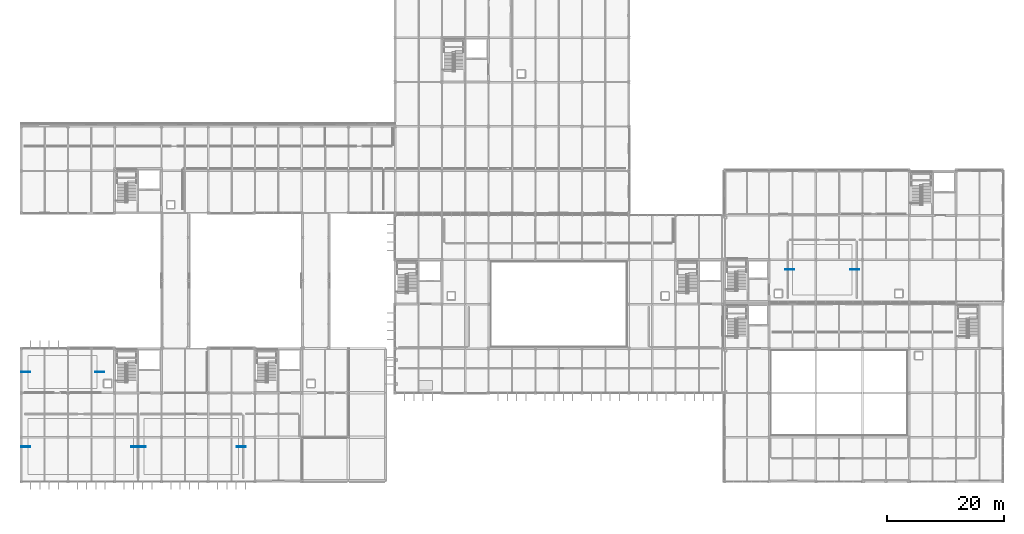
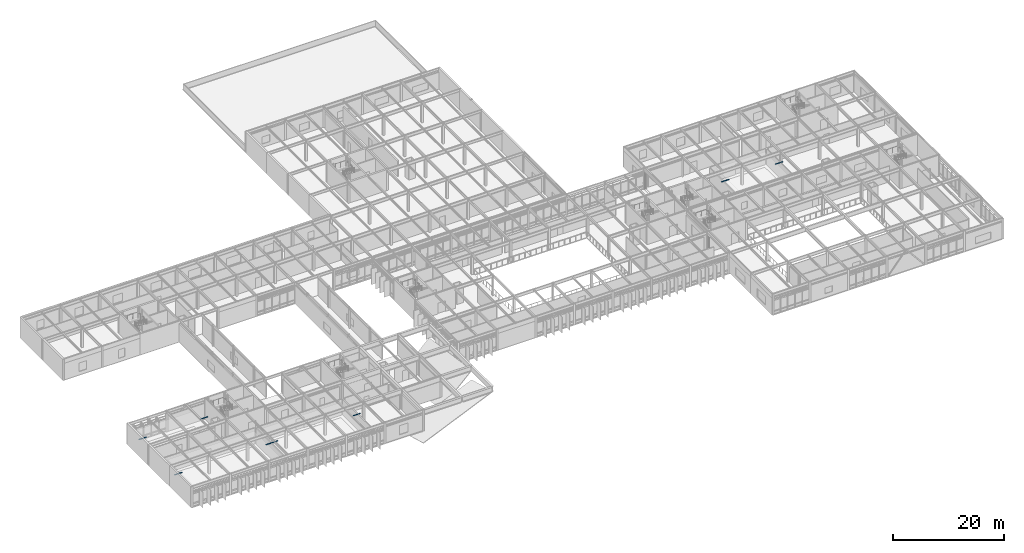
# One storey, part 91 of 104: 8 discrete accessories.
"""IFC4 building model written with IfcOpenShell, lengths in metres."""

from ifc_helpers import new_model, si_unit, direction, frame, origin, origin_2d, place, context, subcontext, project, spatial, rectangle, extrude, material, layer, layer_set, type_object, element, save


model = new_model("IFC4")

# Units and contexts
model_context = context("Model", 3, precision=1e-05, world=origin(), true_north=direction((0.0, 1.0)))
body_context = subcontext(model_context, "Body", "Model", "MODEL_VIEW")
ifc_project = project(units=[si_unit("LENGTHUNIT", "METRE"), si_unit("AREAUNIT", "SQUARE_METRE"), si_unit("VOLUMEUNIT", "CUBIC_METRE"), si_unit("PLANEANGLEUNIT", "RADIAN"), si_unit("MASSUNIT", "GRAM", prefix="KILO")], contexts=[model_context])

# Site, building, storey
site_placement = place(None, origin())
site = spatial("IfcSite", under=ifc_project, at=site_placement, CompositionType="ELEMENT")
building_placement = place(site_placement, origin())
building = spatial("IfcBuilding", under=site, at=building_placement, Name="Zulena Civic Courthouse", CompositionType="ELEMENT")
storey_placement = place(building_placement, frame((0.0, 0.0, 10.800048828125)))
storey = spatial("IfcBuildingStorey", under=building, at=storey_placement, Name="L02", CompositionType="ELEMENT", Elevation=10.800048828125)

# Discrete accessories
ifc_material = material(Name="Gold anodised architectural aluminium AA6063-T6", Category="aluminium")
ifc_layer = layer(ifc_material, 0.1201171875)
ifc_layer_set = layer_set([ifc_layer], Name="Gold anodised architectural aluminium AA6063-T6")
discrete_accessory_type = type_object("IfcDiscreteAccessoryType", Name="FinOutriggerBracket", PredefinedType="BRACKET", material=ifc_layer_set)
for number, where, z_axis, x_axis, name in (
    (1, (135.550048828125, 36.300048828125, 3.389892578125), (0.0, 0.0, 1.0), (1.0, 0.0, 0.0), "hng:ceil:L02:269:0"),
    (2, (146.64990234375, 36.300048828125, 3.389892578125), (0.0, 0.0, 1.0), (1.0, 0.0, 0.0), "hng:ceil:L02:269:1"),
    (3, (4.75, 6.0, 3.389892578125), (0.0, 0.0, 1.0), (1.0, 0.0, 0.0), "hng:ceil:L02:303:0"),
    (4, (23.64990234375, 6.0, 3.389892578125), (0.0, 0.0, 1.0), (1.0, 0.0, 0.0), "hng:ceil:L02:303:1"),
    (5, (24.550048828125, 6.0, 3.389892578125), (0.0, 0.0, 1.0), (1.0, 0.0, 0.0), "hng:ceil:L02:304:0"),
    (6, (41.64990234375, 6.0, 3.389892578125), (0.0, 0.0, 1.0), (1.0, 0.0, 0.0), "hng:ceil:L02:304:1"),
    (7, (4.75, 18.800048828125, 3.389892578125), (0.0, 0.0, 1.0), (1.0, 0.0, 0.0), "hng:ceil:L02:306:0"),
    (8, (17.449951171875, 18.800048828125, 3.389892578125), (0.0, 0.0, 1.0), (1.0, 0.0, 0.0), "hng:ceil:L02:306:1"),
):
    element("IfcDiscreteAccessory", number, at=place(storey_placement, frame(where, z_axis=z_axis, x_axis=x_axis)), inside=storey, type_object=discrete_accessory_type, Name=name, PredefinedType="BRACKET", context=body_context, shape_type="SweptSolid", body=[
        extrude(rectangle(XDim=1.550048828125, YDim=0.1201171875, at=origin_2d()), origin(), (0.0, 0.0, 1.0), 0.080078125),
    ])

save(model, "model.ifc")
